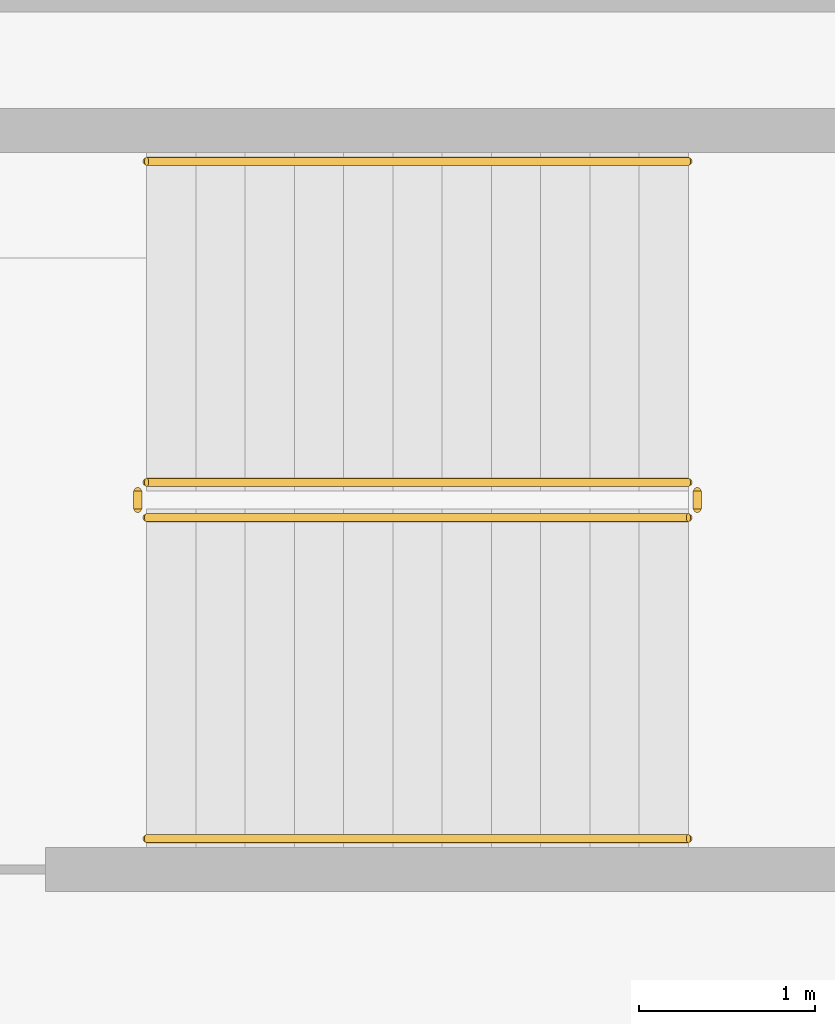
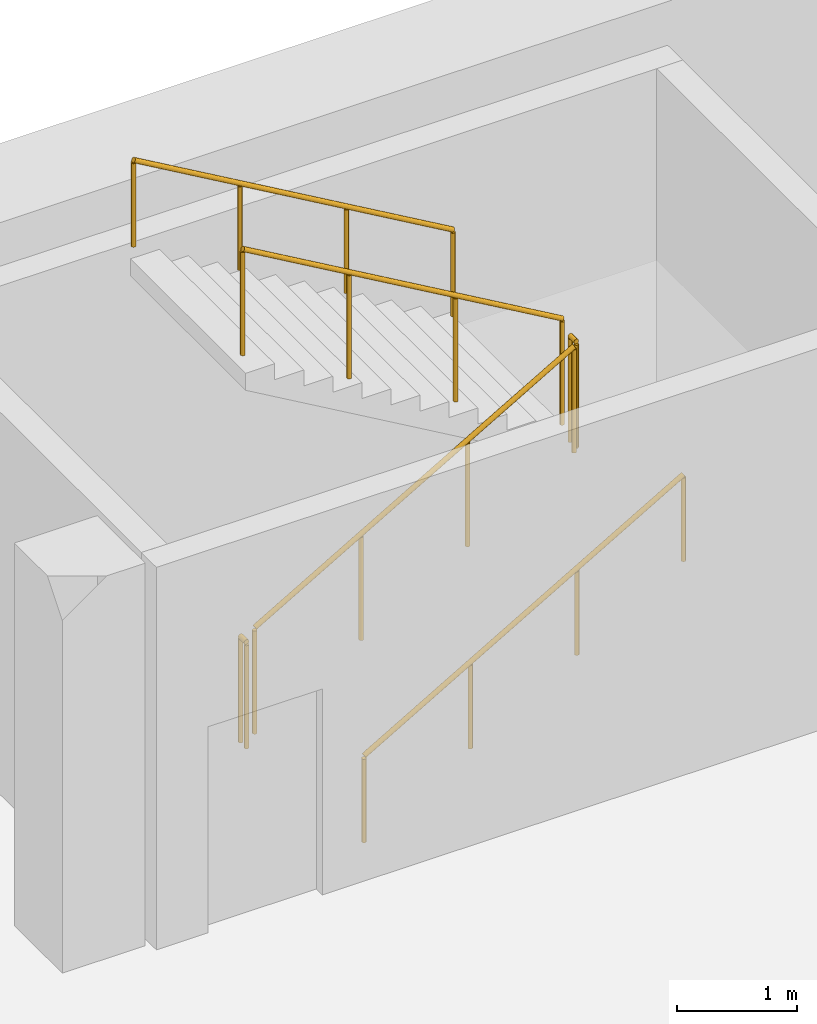
# One storey, part 26 of 27: 6 railings.
"""IFC4 building model written with IfcOpenShell, lengths in metres."""

import ifcopenshell
import ifcopenshell.guid

model = None  # the IFC model being written
_history = None  # IfcOwnerHistory: only IFC2X3 demands one
_inside = {}  # id of a spatial element -> (the spatial element, [elements in it])
_under = {}  # id of a project, library or spatial element -> (it, [spatial elements below it])
_declared = {}  # id of a project -> (the project, [libraries it declares])
_typed = {}  # id of a type object -> (the type object, [elements of that type])
_made_of = {}  # id of a material, layer set ... -> (it, [elements and type objects made of it])


def new_model(schema):
    """Start an empty IFC model of exactly this schema.

    Asked for "IFC4X3", IfcOpenShell would pick the latest addendum, in which some entities
    have other attributes; the version numbers below select the first issue.
    IFC2X3 requires an IfcOwnerHistory on every rooted entity: one is made here for all.
    """
    global model, _history
    if schema == "IFC4X3":
        model = ifcopenshell.file(schema_version=(4, 3, 0, 0))
    else:
        model = ifcopenshell.file(schema=schema)
    _inside.clear()
    _under.clear()
    _declared.clear()
    _typed.clear()
    _made_of.clear()
    _history = None
    if model.schema == "IFC2X3":
        org = make("IfcOrganization", Name="unknown")
        user = make(
            "IfcPersonAndOrganization",
            ThePerson=make("IfcPerson", FamilyName="unknown"),
            TheOrganization=org,
        )
        app = make(
            "IfcApplication",
            ApplicationDeveloper=org,
            Version="unknown",
            ApplicationFullName="unknown",
            ApplicationIdentifier="unknown",
        )
        _history = make(
            "IfcOwnerHistory",
            OwningUser=user,
            OwningApplication=app,
            ChangeAction="ADDED",
            CreationDate=0,
        )
    return model


def make(cls, **values):
    """One entity of the class cls with the attributes given. An attribute that is None is left unset."""
    return model.create_entity(
        cls, **{name: value for name, value in values.items() if value is not None}
    )


def rooted(cls, **values):
    """An entity with a GlobalId (a new one), such as an element, a storey or a relation."""
    return make(cls, GlobalId=ifcopenshell.guid.new(), OwnerHistory=_history, **values)


def si_unit(unit_type, name, prefix=None):
    """IfcSIUnit, for example si_unit("LENGTHUNIT", "METRE", prefix="MILLI")."""
    return make("IfcSIUnit", UnitType=unit_type, Prefix=prefix, Name=name)


def assignment(units):
    """IfcUnitAssignment: the units of a project."""
    return None if units is None else make("IfcUnitAssignment", Units=units)


def point(xyz):
    """IfcCartesianPoint."""
    return None if xyz is None else make("IfcCartesianPoint", Coordinates=xyz)


def direction(xyz):
    """IfcDirection."""
    return None if xyz is None else make("IfcDirection", DirectionRatios=xyz)


def frame(location, z_axis=None, x_axis=None):
    """IfcAxis2Placement3D, a coordinate frame: its origin and axes. An axis left out is left unset."""
    return make(
        "IfcAxis2Placement3D",
        Location=point(location),
        Axis=direction(z_axis),
        RefDirection=direction(x_axis),
    )


def frame_2d(location, x_axis=None):
    """IfcAxis2Placement2D, a coordinate frame in the plane: its origin and x axis."""
    return make(
        "IfcAxis2Placement2D", Location=point(location), RefDirection=direction(x_axis)
    )


def origin():
    """The frame at (0, 0, 0) with its axes left unset."""
    return frame((0.0, 0.0, 0.0))


def origin_2d():
    """The frame at (0, 0) in the plane with its x axis left unset."""
    return frame_2d((0.0, 0.0))


def place(relative_to, where):
    """IfcLocalPlacement: puts the frame where relative to a parent placement (None: the world)."""
    return make(
        "IfcLocalPlacement", PlacementRelTo=relative_to, RelativePlacement=where
    )


def context(
    kind, dimensions, precision=None, world=None, true_north=None, identifier=None
):
    """IfcGeometricRepresentationContext, for example the 3D "Model" context."""
    return make(
        "IfcGeometricRepresentationContext",
        ContextIdentifier=identifier,
        ContextType=kind,
        CoordinateSpaceDimension=dimensions,
        Precision=precision,
        WorldCoordinateSystem=world,
        TrueNorth=true_north,
    )


def subcontext(parent, identifier, kind, view, scale=None):
    """IfcGeometricRepresentationSubContext, for example "Body" below "Model"."""
    return make(
        "IfcGeometricRepresentationSubContext",
        ContextIdentifier=identifier,
        ContextType=kind,
        ParentContext=parent,
        TargetScale=scale,
        TargetView=view,
    )


def project(units=None, contexts=None):
    """IfcProject with its units and contexts."""
    return rooted(
        "IfcProject",
        Name="project",
        RepresentationContexts=contexts,
        UnitsInContext=assignment(units),
    )


def spatial(cls, under=None, at=None, **own):
    """A site, building, storey or space (cls), placed at a placement, below another one or the project."""
    s = rooted(cls, ObjectPlacement=at, **own)
    if under is not None:
        _under.setdefault(under.id(), (under, []))[1].append(s)
    return s


def profile(cls, at=None, kind="AREA", **sizes):
    """A parametric profile (cls). Its sizes go by their IFC names, for example OverallWidth=200.0."""
    return make(cls, ProfileType=kind, Position=at, **sizes)


def circle(**sizes):
    """IfcCircleProfileDef."""
    return profile("IfcCircleProfileDef", **sizes)


def extrude(swept, where, along, depth):
    """IfcExtrudedAreaSolid: the profile swept, set in the frame where, extruded along a direction by depth."""
    return make(
        "IfcExtrudedAreaSolid",
        SweptArea=swept,
        Position=where,
        ExtrudedDirection=direction(along),
        Depth=depth,
    )


def shape(context_of_items, identifier, shape_type, items):
    """IfcShapeRepresentation: the items that make up one representation, for example the "Body"."""
    return make(
        "IfcShapeRepresentation",
        ContextOfItems=context_of_items,
        RepresentationIdentifier=identifier,
        RepresentationType=shape_type,
        Items=items,
    )


def material(Name=None, Category=None):
    """IfcMaterial."""
    return make("IfcMaterial", Name=Name, Category=Category)


def made_of(thing, what):
    """Note that an element or type object is made of a material, layer set ...; save() writes the relation."""
    if what is not None:
        _made_of.setdefault(what.id(), (what, []))[1].append(thing)
    return thing


def type_object(cls, material=None, **own):
    """A type object (cls), such as IfcWallType, which elements share."""
    return made_of(rooted(cls, **own), material)


def element(
    cls,
    number,
    at=None,
    inside=None,
    cuts=None,
    type_object=None,
    material=None,
    context=None,
    identifier="Body",
    shape_type=None,
    held_by="IfcProductDefinitionShape",
    body=None,
    shapes=None,
    **own,
):
    """One element of the class cls, such as IfcWall. Its Tag is "e" and its number.

    at: its placement. inside: the storey or other place that contains it. cuts: it is an
    opening in that element (IfcRelVoidsElement). A single representation is given by context,
    identifier, shape_type and body (its items); several are given by shapes. held_by: the class
    of the entity that holds the representations. save() writes the other relations.
    """
    e = rooted(cls, Tag="e%d" % number, ObjectPlacement=at, **own)
    if body is not None:
        shapes = [shape(context, identifier, shape_type, body)]
    if shapes is not None:
        e.Representation = make(held_by, Representations=shapes)
    if inside is not None:
        _inside.setdefault(inside.id(), (inside, []))[1].append(e)
    if cuts is not None:
        rooted(
            "IfcRelVoidsElement", RelatingBuildingElement=cuts, RelatedOpeningElement=e
        )
    if type_object is not None:
        _typed.setdefault(type_object.id(), (type_object, []))[1].append(e)
    return made_of(e, material)


def aggregate(whole, parts):
    """IfcRelAggregates: a whole, such as a stair, and the parts it consists of."""
    return rooted("IfcRelAggregates", RelatingObject=whole, RelatedObjects=parts)


def save(model, path):
    """Write the relations noted so far, then the file.

    IfcRelAggregates (storeys below a building ...), IfcRelContainedInSpatialStructure (elements
    in a storey), IfcRelDefinesByType, IfcRelAssociatesMaterial and IfcRelDeclares: one each for
    every whole, place, type object, material and project.
    """
    for whole, parts in _under.values():
        aggregate(whole, parts)
    for where, things in _inside.values():
        rooted(
            "IfcRelContainedInSpatialStructure",
            RelatedElements=things,
            RelatingStructure=where,
        )
    for kind, things in _typed.values():
        rooted("IfcRelDefinesByType", RelatedObjects=things, RelatingType=kind)
    for what, things in _made_of.values():
        rooted("IfcRelAssociatesMaterial", RelatedObjects=things, RelatingMaterial=what)
    for by, libraries in _declared.values():
        rooted("IfcRelDeclares", RelatingContext=by, RelatedDefinitions=libraries)
    model.write(path)


model = new_model("IFC4")

# Units and contexts
model_context = context("Model", 3, precision=1e-05, world=origin(), true_north=direction((0.0, 1.0)))
body_context = subcontext(model_context, "Body", "Model", "MODEL_VIEW")
ifc_project = project(units=[si_unit("LENGTHUNIT", "METRE"), si_unit("AREAUNIT", "SQUARE_METRE"), si_unit("VOLUMEUNIT", "CUBIC_METRE"), si_unit("PLANEANGLEUNIT", "RADIAN"), si_unit("MASSUNIT", "GRAM", prefix="KILO")], contexts=[model_context])

# Site, building, storey
site_placement = place(None, origin())
site = spatial("IfcSite", under=ifc_project, at=site_placement, CompositionType="ELEMENT")
building_placement = place(site_placement, origin())
building = spatial("IfcBuilding", under=site, at=building_placement, Name="Verdalira Terraces Hotel", CompositionType="ELEMENT")
storey_placement = place(building_placement, frame((0.0, 0.0, -11.699951)))
storey = spatial("IfcBuildingStorey", under=building, at=storey_placement, Name="B3", CompositionType="ELEMENT", Elevation=-11.699951171875)

# Railings
ifc_material_1 = material(Name="Stainless steel", Category="steel")
railing_type_1 = type_object("IfcRailingType", Name="Stair guard 1100", PredefinedType="GUARDRAIL", material=ifc_material_1)
railing_1_placement = place(storey_placement, frame((22.225098, 50.125, 0.162354)))
element("IfcRailing", 1, at=railing_1_placement, inside=storey, type_object=railing_type_1, Name="B3 Basement stair 3 stair guard 1", PredefinedType="GUARDRAIL", context=body_context, shape_type="SweptSolid", body=[
    extrude(circle(Radius=0.023926, at=origin_2d()), frame((0.0, 0.0, 1.076172), z_axis=(0.864873446, 0.0, 0.501989962), x_axis=(0.0, 1.0, 0.0)), (0.0, 0.0, 1.0), 3.561035),
    extrude(circle(Radius=0.020996, at=origin_2d()), origin(), (0.0, 0.0, 1.0), 1.052002),
    extrude(circle(Radius=0.020996, at=origin_2d()), frame((1.026611, 0.0, 0.595947)), (0.0, 0.0, 1.0), 1.052002),
    extrude(circle(Radius=0.020996, at=origin_2d()), frame((2.053223, 0.0, 1.19165)), (0.0, 0.0, 1.0), 1.052002),
    extrude(circle(Radius=0.020996, at=origin_2d()), frame((3.079834, 0.0, 1.787598)), (0.0, 0.0, 1.0), 1.052002),
])
railing_2_placement = place(storey_placement, frame((25.35498, 50.175049, 1.949951)))
element("IfcRailing", 2, at=railing_2_placement, inside=storey, type_object=railing_type_1, Name="B3 Basement stair 3 stair guard 2", PredefinedType="GUARDRAIL", context=body_context, shape_type="SweptSolid", body=[
    extrude(circle(Radius=0.023926, at=origin_2d()), frame((0.0, 0.0, 1.076172), z_axis=(0.0, 1.0, 0.0), x_axis=(-1.0, 0.0, 0.0)), (0.0, 0.0, 1.0), 0.099854),
    extrude(circle(Radius=0.020996, at=origin_2d()), origin(), (0.0, 0.0, 1.0), 1.052002),
    extrude(circle(Radius=0.020996, at=origin_2d()), frame((0.0, 0.099854, 0.0)), (0.0, 0.0, 1.0), 1.052002),
])
railing_3_placement = place(storey_placement, frame((25.304932, 50.324951, 2.112549)))
element("IfcRailing", 3, at=railing_3_placement, inside=storey, type_object=railing_type_1, Name="B3 Basement stair 3 stair guard 3", PredefinedType="GUARDRAIL", context=body_context, shape_type="SweptSolid", body=[
    extrude(circle(Radius=0.023926, at=origin_2d()), frame((0.0, 0.0, 1.076172), z_axis=(-0.864903211, 0.0, 0.501938677), x_axis=(0.0, -1.0, 0.0)), (0.0, 0.0, 1.0), 3.560791),
    extrude(circle(Radius=0.020996, at=origin_2d()), origin(), (0.0, 0.0, 1.0), 1.052002),
    extrude(circle(Radius=0.020996, at=origin_2d()), frame((-1.026611, 0.0, 0.595703)), (0.0, 0.0, 1.0), 1.052002),
    extrude(circle(Radius=0.020996, at=origin_2d()), frame((-2.053223, 0.0, 1.19165)), (0.0, 0.0, 1.0), 1.052002),
    extrude(circle(Radius=0.020996, at=origin_2d()), frame((-3.079834, 0.0, 1.787354)), (0.0, 0.0, 1.0), 1.052002),
])
railing_4_placement = place(storey_placement, frame((22.175049, 50.175049, 0.0)))
element("IfcRailing", 4, at=railing_4_placement, inside=storey, type_object=railing_type_1, Name="B3 Basement stair 3 stair guard 4", PredefinedType="GUARDRAIL", context=body_context, shape_type="SweptSolid", body=[
    extrude(circle(Radius=0.023926, at=origin_2d()), frame((0.0, 0.0, 1.076172), z_axis=(0.0, 1.0, 0.0), x_axis=(-1.0, 0.0, 0.0)), (0.0, 0.0, 1.0), 0.099854),
    extrude(circle(Radius=0.020996, at=origin_2d()), origin(), (0.0, 0.0, 1.0), 1.052002),
    extrude(circle(Radius=0.020996, at=origin_2d()), frame((0.0, 0.099854, 0.0)), (0.0, 0.0, 1.0), 1.052002),
])
ifc_material_2 = material(Name="Stainless steel", Category="steel")
railing_type_2 = type_object("IfcRailingType", Name="Stair handrail 900", PredefinedType="HANDRAIL", material=ifc_material_2)
railing_5_placement = place(storey_placement, frame((22.225098, 48.300049, 0.162354)))
element("IfcRailing", 5, at=railing_5_placement, inside=storey, type_object=railing_type_2, Name="B3 Basement stair 3 stair handrail 1", PredefinedType="HANDRAIL", context=body_context, shape_type="SweptSolid", body=[
    extrude(circle(Radius=0.023926, at=origin_2d()), frame((0.0, 0.0, 0.875977), z_axis=(0.864873446, 0.0, 0.501989962), x_axis=(0.0, 1.0, 0.0)), (0.0, 0.0, 1.0), 3.561035),
    extrude(circle(Radius=0.020996, at=origin_2d()), origin(), (0.0, 0.0, 1.0), 0.851807),
    extrude(circle(Radius=0.020996, at=origin_2d()), frame((1.026611, 0.0, 0.595947)), (0.0, 0.0, 1.0), 0.851807),
    extrude(circle(Radius=0.020996, at=origin_2d()), frame((2.053223, 0.0, 1.19165)), (0.0, 0.0, 1.0), 0.851807),
    extrude(circle(Radius=0.020996, at=origin_2d()), frame((3.079834, 0.0, 1.787598)), (0.0, 0.0, 1.0), 0.851807),
])
railing_6_placement = place(storey_placement, frame((25.304932, 52.149902, 2.112549)))
element("IfcRailing", 6, at=railing_6_placement, inside=storey, type_object=railing_type_2, Name="B3 Basement stair 3 stair handrail 2", PredefinedType="HANDRAIL", context=body_context, shape_type="SweptSolid", body=[
    extrude(circle(Radius=0.023926, at=origin_2d()), frame((0.0, 0.0, 0.875977), z_axis=(-0.864903211, 0.0, 0.501938677), x_axis=(0.0, -1.0, 0.0)), (0.0, 0.0, 1.0), 3.560791),
    extrude(circle(Radius=0.020996, at=origin_2d()), origin(), (0.0, 0.0, 1.0), 0.851807),
    extrude(circle(Radius=0.020996, at=origin_2d()), frame((-1.026611, 0.0, 0.595703)), (0.0, 0.0, 1.0), 0.851807),
    extrude(circle(Radius=0.020996, at=origin_2d()), frame((-2.053223, 0.0, 1.19165)), (0.0, 0.0, 1.0), 0.851807),
    extrude(circle(Radius=0.020996, at=origin_2d()), frame((-3.079834, 0.0, 1.787354)), (0.0, 0.0, 1.0), 0.851807),
])

save(model, "model.ifc")
